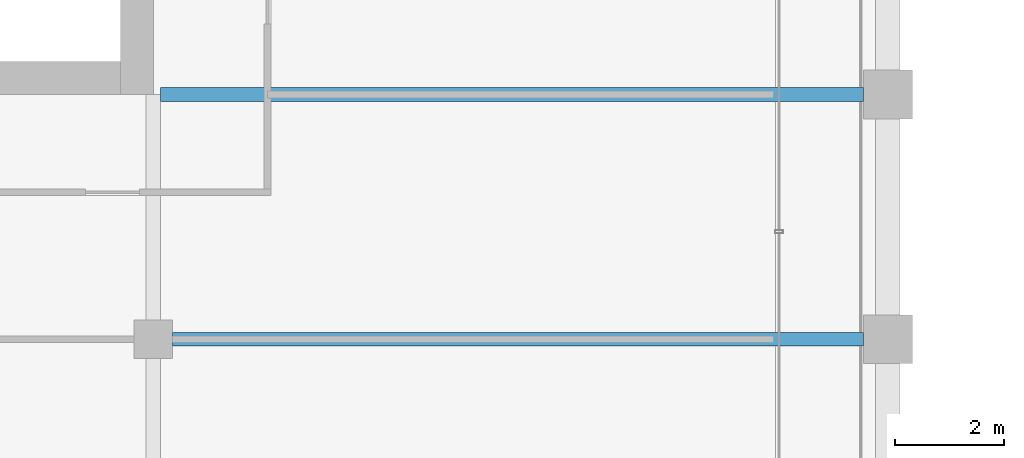
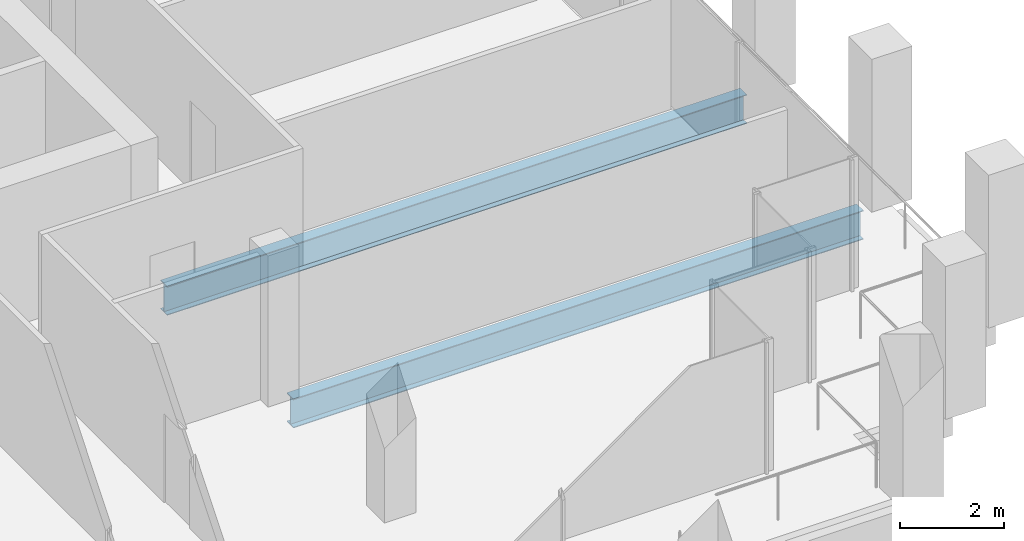
# One storey, part 14 of 40: 2 beams.
"""IFC4 building model written with IfcOpenShell, lengths in metres."""

from ifc_helpers import new_model, si_unit, direction, frame, origin, origin_2d, place, context, subcontext, project, spatial, i_section, extrude, material, material_profile, profile_set, type_object, element, save


model = new_model("IFC4")

# Units and contexts
model_context = context("Model", 3, precision=1e-05, world=origin(), true_north=direction((0.0, 1.0)))
body_context = subcontext(model_context, "Body", "Model", "MODEL_VIEW")
ifc_project = project(units=[si_unit("LENGTHUNIT", "METRE"), si_unit("AREAUNIT", "SQUARE_METRE"), si_unit("VOLUMEUNIT", "CUBIC_METRE"), si_unit("PLANEANGLEUNIT", "RADIAN"), si_unit("MASSUNIT", "GRAM", prefix="KILO")], contexts=[model_context])

# Site, building, storey
site_placement = place(None, origin())
site = spatial("IfcSite", under=ifc_project, at=site_placement, CompositionType="ELEMENT")
building_placement = place(site_placement, origin())
building = spatial("IfcBuilding", under=site, at=building_placement, Name="Altepetl Exchange Towers", CompositionType="ELEMENT")
storey_placement = place(building_placement, frame((0.0, 0.0, 151.0)))
storey = spatial("IfcBuildingStorey", under=building, at=storey_placement, Name="L37", CompositionType="ELEMENT", Elevation=151.0)

# Beams
ifc_material = material(Name="Steel S355", Category="steel")
ifc_material_profile = material_profile(ifc_material, i_section(OverallWidth=0.25390625, OverallDepth=0.68408203125, WebThickness=0.012451171875, FlangeThickness=0.018798828125, at=origin_2d()), Name="W27X94")
ifc_profile_set = profile_set([ifc_material_profile], Name="Steel S355")
beam_type = type_object("IfcBeamType", Name="Floor beam W27X94", PredefinedType="BEAM", material=ifc_profile_set)
beam_1_placement = place(storey_placement, frame((58.85009765625, 36.0, -0.491943359375), z_axis=(1.0, 0.0, 0.0), x_axis=(0.0, 1.0, 0.0)))
element("IfcBeam", 1, at=beam_1_placement, inside=storey, type_object=beam_type, Name="bm:A:L37:007", PredefinedType="BEAM", context=body_context, shape_type="SweptSolid", body=[
    extrude(i_section(OverallWidth=0.25390625, OverallDepth=0.68408203125, WebThickness=0.012451171875, FlangeThickness=0.018798828125, at=origin_2d()), origin(), (0.0, 0.0, 1.0), 12.699951171875),
])
beam_2_placement = place(storey_placement, frame((58.634033203125, 40.5, -0.491943359375), z_axis=(1.0, 0.0, 0.0), x_axis=(0.0, 1.0, 0.0)))
element("IfcBeam", 2, at=beam_2_placement, inside=storey, type_object=beam_type, Name="bm:A:L37:008", PredefinedType="BEAM", context=body_context, shape_type="SweptSolid", body=[
    extrude(i_section(OverallWidth=0.25390625, OverallDepth=0.68408203125, WebThickness=0.012451171875, FlangeThickness=0.018798828125, at=origin_2d()), origin(), (0.0, 0.0, 1.0), 12.916015625),
])

save(model, "model.ifc")
